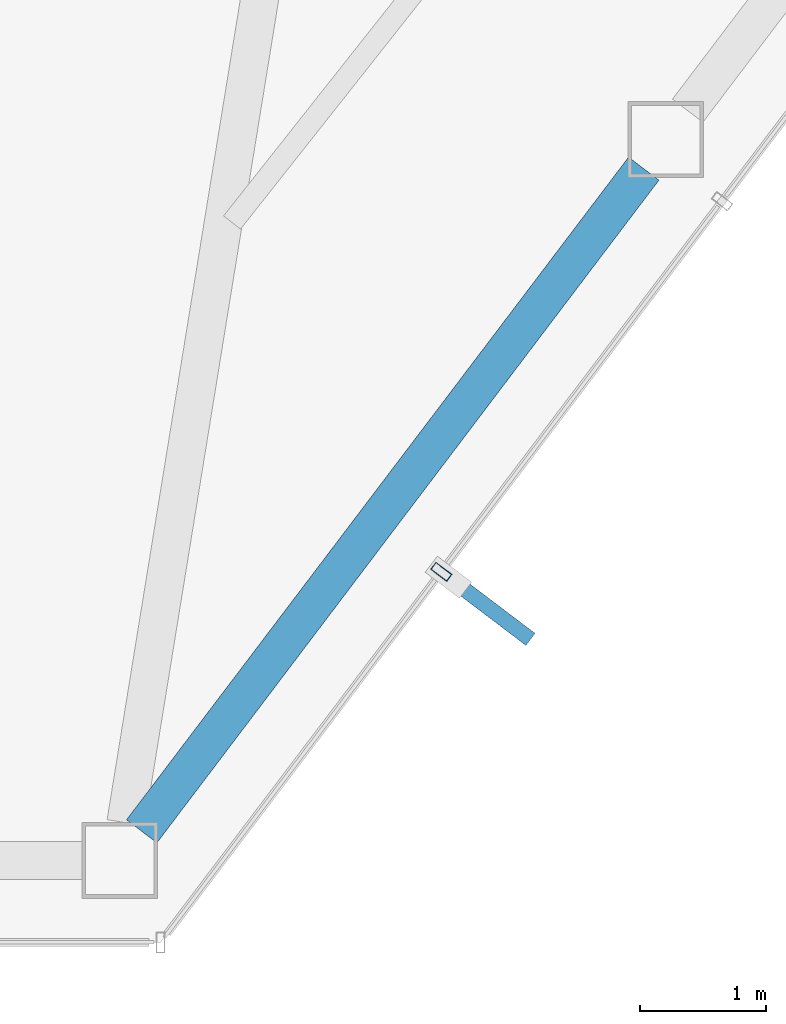
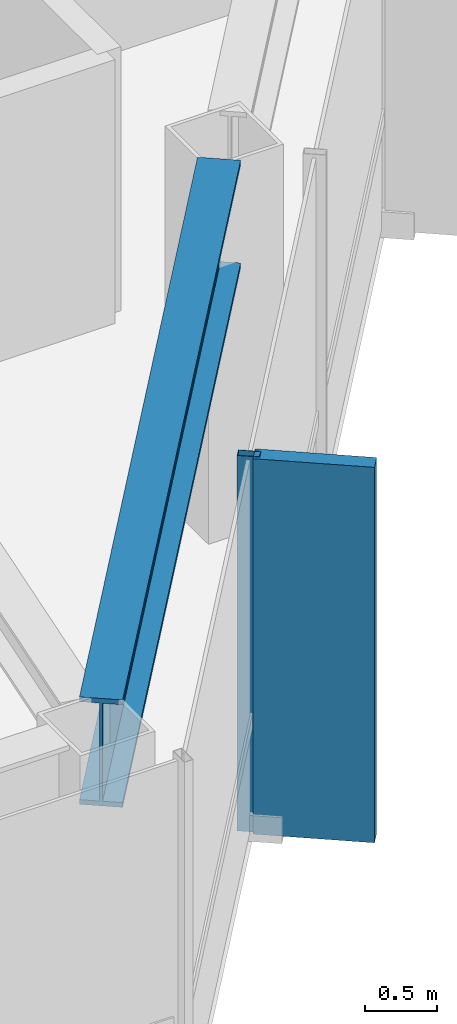
# One storey, part 6 of 25: 2 members, 1 beam, 1 element without a shape of its own.
"""IFC4 building model written with IfcOpenShell, lengths in metres."""

import ifcopenshell
import ifcopenshell.guid

model = None  # the IFC model being written
_history = None  # IfcOwnerHistory: only IFC2X3 demands one
_inside = {}  # id of a spatial element -> (the spatial element, [elements in it])
_under = {}  # id of a project, library or spatial element -> (it, [spatial elements below it])
_declared = {}  # id of a project -> (the project, [libraries it declares])
_typed = {}  # id of a type object -> (the type object, [elements of that type])
_made_of = {}  # id of a material, layer set ... -> (it, [elements and type objects made of it])


def new_model(schema):
    """Start an empty IFC model of exactly this schema.

    Asked for "IFC4X3", IfcOpenShell would pick the latest addendum, in which some entities
    have other attributes; the version numbers below select the first issue.
    IFC2X3 requires an IfcOwnerHistory on every rooted entity: one is made here for all.
    """
    global model, _history
    if schema == "IFC4X3":
        model = ifcopenshell.file(schema_version=(4, 3, 0, 0))
    else:
        model = ifcopenshell.file(schema=schema)
    _inside.clear()
    _under.clear()
    _declared.clear()
    _typed.clear()
    _made_of.clear()
    _history = None
    if model.schema == "IFC2X3":
        org = make("IfcOrganization", Name="unknown")
        user = make(
            "IfcPersonAndOrganization",
            ThePerson=make("IfcPerson", FamilyName="unknown"),
            TheOrganization=org,
        )
        app = make(
            "IfcApplication",
            ApplicationDeveloper=org,
            Version="unknown",
            ApplicationFullName="unknown",
            ApplicationIdentifier="unknown",
        )
        _history = make(
            "IfcOwnerHistory",
            OwningUser=user,
            OwningApplication=app,
            ChangeAction="ADDED",
            CreationDate=0,
        )
    return model


def make(cls, **values):
    """One entity of the class cls with the attributes given. An attribute that is None is left unset."""
    return model.create_entity(
        cls, **{name: value for name, value in values.items() if value is not None}
    )


def rooted(cls, **values):
    """An entity with a GlobalId (a new one), such as an element, a storey or a relation."""
    return make(cls, GlobalId=ifcopenshell.guid.new(), OwnerHistory=_history, **values)


def si_unit(unit_type, name, prefix=None):
    """IfcSIUnit, for example si_unit("LENGTHUNIT", "METRE", prefix="MILLI")."""
    return make("IfcSIUnit", UnitType=unit_type, Prefix=prefix, Name=name)


def assignment(units):
    """IfcUnitAssignment: the units of a project."""
    return None if units is None else make("IfcUnitAssignment", Units=units)


def point(xyz):
    """IfcCartesianPoint."""
    return None if xyz is None else make("IfcCartesianPoint", Coordinates=xyz)


def direction(xyz):
    """IfcDirection."""
    return None if xyz is None else make("IfcDirection", DirectionRatios=xyz)


def frame(location, z_axis=None, x_axis=None):
    """IfcAxis2Placement3D, a coordinate frame: its origin and axes. An axis left out is left unset."""
    return make(
        "IfcAxis2Placement3D",
        Location=point(location),
        Axis=direction(z_axis),
        RefDirection=direction(x_axis),
    )


def frame_2d(location, x_axis=None):
    """IfcAxis2Placement2D, a coordinate frame in the plane: its origin and x axis."""
    return make(
        "IfcAxis2Placement2D", Location=point(location), RefDirection=direction(x_axis)
    )


def origin():
    """The frame at (0, 0, 0) with its axes left unset."""
    return frame((0.0, 0.0, 0.0))


def origin_2d():
    """The frame at (0, 0) in the plane with its x axis left unset."""
    return frame_2d((0.0, 0.0))


def place(relative_to, where):
    """IfcLocalPlacement: puts the frame where relative to a parent placement (None: the world)."""
    return make(
        "IfcLocalPlacement", PlacementRelTo=relative_to, RelativePlacement=where
    )


def context(
    kind, dimensions, precision=None, world=None, true_north=None, identifier=None
):
    """IfcGeometricRepresentationContext, for example the 3D "Model" context."""
    return make(
        "IfcGeometricRepresentationContext",
        ContextIdentifier=identifier,
        ContextType=kind,
        CoordinateSpaceDimension=dimensions,
        Precision=precision,
        WorldCoordinateSystem=world,
        TrueNorth=true_north,
    )


def subcontext(parent, identifier, kind, view, scale=None):
    """IfcGeometricRepresentationSubContext, for example "Body" below "Model"."""
    return make(
        "IfcGeometricRepresentationSubContext",
        ContextIdentifier=identifier,
        ContextType=kind,
        ParentContext=parent,
        TargetScale=scale,
        TargetView=view,
    )


def project(units=None, contexts=None):
    """IfcProject with its units and contexts."""
    return rooted(
        "IfcProject",
        Name="project",
        RepresentationContexts=contexts,
        UnitsInContext=assignment(units),
    )


def spatial(cls, under=None, at=None, **own):
    """A site, building, storey or space (cls), placed at a placement, below another one or the project."""
    s = rooted(cls, ObjectPlacement=at, **own)
    if under is not None:
        _under.setdefault(under.id(), (under, []))[1].append(s)
    return s


def profile(cls, at=None, kind="AREA", **sizes):
    """A parametric profile (cls). Its sizes go by their IFC names, for example OverallWidth=200.0."""
    return make(cls, ProfileType=kind, Position=at, **sizes)


def rectangle(**sizes):
    """IfcRectangleProfileDef."""
    return profile("IfcRectangleProfileDef", **sizes)


def hollow_rectangle(**sizes):
    """IfcRectangleHollowProfileDef."""
    return profile("IfcRectangleHollowProfileDef", **sizes)


def i_section(**sizes):
    """IfcIShapeProfileDef."""
    return profile("IfcIShapeProfileDef", **sizes)


def extrude(swept, where, along, depth):
    """IfcExtrudedAreaSolid: the profile swept, set in the frame where, extruded along a direction by depth."""
    return make(
        "IfcExtrudedAreaSolid",
        SweptArea=swept,
        Position=where,
        ExtrudedDirection=direction(along),
        Depth=depth,
    )


def shape(context_of_items, identifier, shape_type, items):
    """IfcShapeRepresentation: the items that make up one representation, for example the "Body"."""
    return make(
        "IfcShapeRepresentation",
        ContextOfItems=context_of_items,
        RepresentationIdentifier=identifier,
        RepresentationType=shape_type,
        Items=items,
    )


def material(Name=None, Category=None):
    """IfcMaterial."""
    return make("IfcMaterial", Name=Name, Category=Category)


def layer(
    of_material, thickness, ventilated=None, Name=None, Category=None, Priority=None
):
    """IfcMaterialLayer: one layer of a wall or slab, of a material (None: an air gap)."""
    return make(
        "IfcMaterialLayer",
        Material=of_material,
        LayerThickness=thickness,
        IsVentilated=ventilated,
        Name=Name,
        Category=Category,
        Priority=Priority,
    )


def layer_set(layers, Name=None):
    """IfcMaterialLayerSet."""
    return make("IfcMaterialLayerSet", MaterialLayers=layers, LayerSetName=Name)


def material_profile(
    of_material, cross_section, Name=None, Category=None, Priority=None
):
    """IfcMaterialProfile: a cross section and its material."""
    return make(
        "IfcMaterialProfile",
        Name=Name,
        Material=of_material,
        Profile=cross_section,
        Priority=Priority,
        Category=Category,
    )


def profile_set(profiles, Name=None, composite=None):
    """IfcMaterialProfileSet."""
    return make(
        "IfcMaterialProfileSet",
        Name=Name,
        MaterialProfiles=profiles,
        CompositeProfile=composite,
    )


def made_of(thing, what):
    """Note that an element or type object is made of a material, layer set ...; save() writes the relation."""
    if what is not None:
        _made_of.setdefault(what.id(), (what, []))[1].append(thing)
    return thing


def type_object(cls, material=None, **own):
    """A type object (cls), such as IfcWallType, which elements share."""
    return made_of(rooted(cls, **own), material)


def element(
    cls,
    number,
    at=None,
    inside=None,
    cuts=None,
    type_object=None,
    material=None,
    context=None,
    identifier="Body",
    shape_type=None,
    held_by="IfcProductDefinitionShape",
    body=None,
    shapes=None,
    **own,
):
    """One element of the class cls, such as IfcWall. Its Tag is "e" and its number.

    at: its placement. inside: the storey or other place that contains it. cuts: it is an
    opening in that element (IfcRelVoidsElement). A single representation is given by context,
    identifier, shape_type and body (its items); several are given by shapes. held_by: the class
    of the entity that holds the representations. save() writes the other relations.
    """
    e = rooted(cls, Tag="e%d" % number, ObjectPlacement=at, **own)
    if body is not None:
        shapes = [shape(context, identifier, shape_type, body)]
    if shapes is not None:
        e.Representation = make(held_by, Representations=shapes)
    if inside is not None:
        _inside.setdefault(inside.id(), (inside, []))[1].append(e)
    if cuts is not None:
        rooted(
            "IfcRelVoidsElement", RelatingBuildingElement=cuts, RelatedOpeningElement=e
        )
    if type_object is not None:
        _typed.setdefault(type_object.id(), (type_object, []))[1].append(e)
    return made_of(e, material)


def aggregate(whole, parts):
    """IfcRelAggregates: a whole, such as a stair, and the parts it consists of."""
    return rooted("IfcRelAggregates", RelatingObject=whole, RelatedObjects=parts)


def save(model, path):
    """Write the relations noted so far, then the file.

    IfcRelAggregates (storeys below a building ...), IfcRelContainedInSpatialStructure (elements
    in a storey), IfcRelDefinesByType, IfcRelAssociatesMaterial and IfcRelDeclares: one each for
    every whole, place, type object, material and project.
    """
    for whole, parts in _under.values():
        aggregate(whole, parts)
    for where, things in _inside.values():
        rooted(
            "IfcRelContainedInSpatialStructure",
            RelatedElements=things,
            RelatingStructure=where,
        )
    for kind, things in _typed.values():
        rooted("IfcRelDefinesByType", RelatedObjects=things, RelatingType=kind)
    for what, things in _made_of.values():
        rooted("IfcRelAssociatesMaterial", RelatedObjects=things, RelatingMaterial=what)
    for by, libraries in _declared.values():
        rooted("IfcRelDeclares", RelatingContext=by, RelatedDefinitions=libraries)
    model.write(path)


model = new_model("IFC4")

# Units and contexts
model_context = context("Model", 3, precision=1e-05, world=origin(), true_north=direction((0.0, 1.0)))
body_context = subcontext(model_context, "Body", "Model", "MODEL_VIEW")
ifc_project = project(units=[si_unit("LENGTHUNIT", "METRE"), si_unit("AREAUNIT", "SQUARE_METRE"), si_unit("VOLUMEUNIT", "CUBIC_METRE"), si_unit("PLANEANGLEUNIT", "RADIAN"), si_unit("MASSUNIT", "GRAM", prefix="KILO")], contexts=[model_context])

# Site, building, storey
site_placement = place(None, origin())
site = spatial("IfcSite", under=ifc_project, at=site_placement, CompositionType="ELEMENT")
building_placement = place(site_placement, origin())
building = spatial("IfcBuilding", under=site, at=building_placement, Name="Zarrinselat Tower", CompositionType="ELEMENT")
storey_placement = place(building_placement, frame((0.0, 0.0, 239.360107421875)))
storey = spatial("IfcBuildingStorey", under=building, at=storey_placement, Name="L60", CompositionType="ELEMENT", Elevation=239.360107421875)

# Beam
ifc_material_1 = material(Name="Steel S460M", Category="steel")
ifc_material_profile_1 = material_profile(ifc_material_1, i_section(OverallWidth=0.302001953125, OverallDepth=0.909912109375, WebThickness=0.02099609375, FlangeThickness=0.0400390625, at=origin_2d()), Name="HEM 900")
ifc_profile_set_1 = profile_set([ifc_material_profile_1], Name="Steel S460M")
beam_type = type_object("IfcBeamType", Name="BM-HEM900", PredefinedType="BEAM", material=ifc_profile_set_1)
beam_placement = place(storey_placement, frame((43.708984375, 19.4423828125, 2.724853515625), z_axis=(0.603886974142, 0.797069960832, 0.0), x_axis=(-0.797069960832, 0.603886974142, 0.0)))
element("IfcBeam", 1, at=beam_placement, inside=storey, type_object=beam_type, Name="L60 Perimeter Spandrel Girder SP11", PredefinedType="BEAM", context=body_context, shape_type="SweptSolid", body=[
    extrude(i_section(OverallWidth=0.302001953125, OverallDepth=0.909912109375, WebThickness=0.02099609375, FlangeThickness=0.0400390625, at=origin_2d()), origin(), (0.0, 0.0, 1.0), 6.58056640625),
])

# Curtain wall, members
ifc_material_2 = material(Name="Extruded Aluminium Alloy EN AW-6063 T6", Category="aluminium")
ifc_layer = layer(ifc_material_2, 0.169921875)
ifc_layer_set = layer_set([ifc_layer], Name="Extruded Aluminium Alloy EN AW-6063 T6")
curtain_wall_type = type_object("IfcCurtainWallType", Name="CWS-RES", PredefinedType="NOTDEFINED", material=ifc_layer_set)
curtain_wall_placement = place(storey_placement, origin())
curtain_wall = element("IfcCurtainWall", 2, at=curtain_wall_placement, inside=storey, type_object=curtain_wall_type, Name="L60 Unitised Curtain Wall CW-L60-E05", PredefinedType="NOTDEFINED")
ifc_material_3 = material(Name="Extruded Aluminium Alloy EN AW-6063 T6", Category="aluminium")
ifc_material_profile_2 = material_profile(ifc_material_3, hollow_rectangle(XDim=0.070068359375, YDim=0.159912109375, WallThickness=0.00390625, at=origin_2d()), Name="RHS 160x70x4")
ifc_profile_set_2 = profile_set([ifc_material_profile_2], Name="Extruded Aluminium Alloy EN AW-6063 T6")
member_type_1 = type_object("IfcMemberType", Name="MEM-CW-MUL2", PredefinedType="MULLION", material=ifc_profile_set_2)
member_1_placement = place(storey_placement, frame((46.08056640625, 21.49609375, 0.0), z_axis=(0.0, 0.0, 1.0), x_axis=(0.603858472709, 0.797091553674, 0.0)))
member_1 = element("IfcMember", 3, at=member_1_placement, type_object=member_type_1, Name="CW-L60-E05 Mullion 1", PredefinedType="MULLION", context=body_context, shape_type="SweptSolid", body=[
    extrude(hollow_rectangle(XDim=0.070068359375, YDim=0.159912109375, WallThickness=0.00390625, at=origin_2d()), origin(), (0.0, 0.0, 1.0), 3.179931640625),
])
ifc_material_4 = material(Name="Honed Cream Travertine Stone", Category="masonry")
ifc_material_profile_3 = material_profile(ifc_material_4, rectangle(XDim=0.1201171875, YDim=0.85009765625, at=origin_2d()), Name="FIN 850x120")
ifc_profile_set_3 = profile_set([ifc_material_profile_3], Name="Honed Cream Travertine Stone")
member_type_2 = type_object("IfcMemberType", Name="MEM-STONE-FIN", PredefinedType="USERDEFINED", material=ifc_profile_set_3)
member_2_placement = place(storey_placement, frame((46.447265625, 21.218505859375, 0.0), z_axis=(0.0, 0.0, 1.0), x_axis=(-0.603858472709, -0.797091553674, 0.0)))
member_2 = element("IfcMember", 4, at=member_2_placement, type_object=member_type_2, Name="L60 Stone Shading Fin CW-L60-E05-01", ObjectType="FIN", PredefinedType="USERDEFINED", context=body_context, shape_type="SweptSolid", body=[
    extrude(rectangle(XDim=0.1201171875, YDim=0.85009765625, at=origin_2d()), origin(), (0.0, 0.0, 1.0), 3.179931640625),
])
aggregate(curtain_wall, [member_1, member_2])

save(model, "model.ifc")
